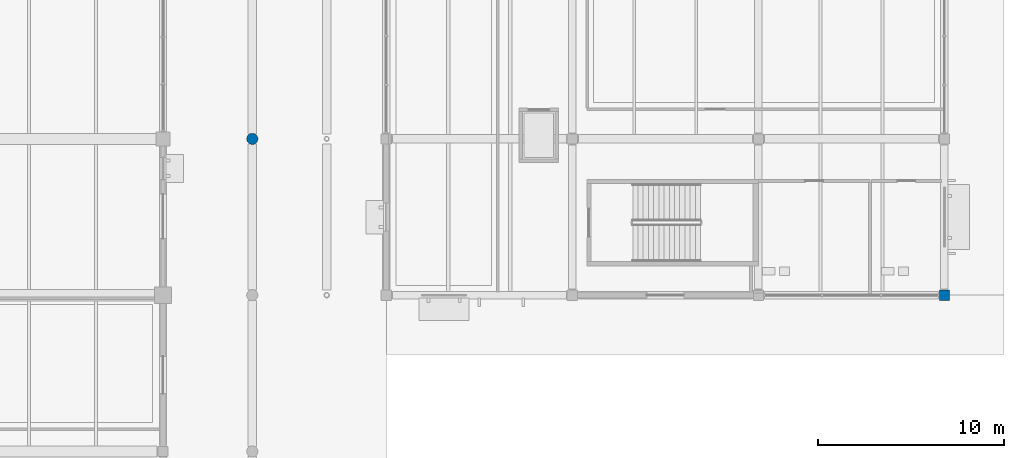
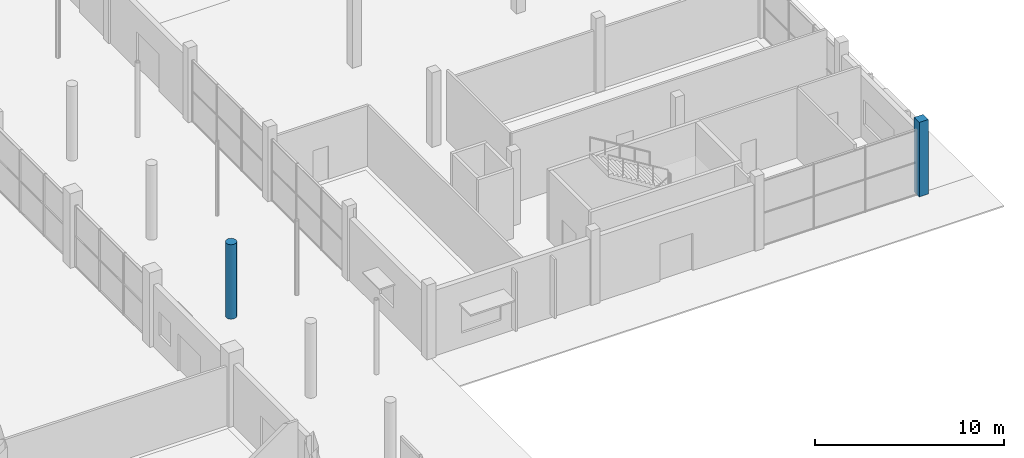
# One storey, part 3 of 130: 2 columns.
"""IFC4 building model written with IfcOpenShell, lengths in metres."""

from ifc_helpers import new_model, si_unit, direction, frame, origin, origin_2d, place, context, subcontext, project, spatial, rectangle, circle, extrude, material, material_profile, profile_set, type_object, element, save


model = new_model("IFC4")

# Units and contexts
model_context = context("Model", 3, precision=1e-05, world=origin(), true_north=direction((0.0, 1.0)))
body_context = subcontext(model_context, "Body", "Model", "MODEL_VIEW")
ifc_project = project(units=[si_unit("LENGTHUNIT", "METRE"), si_unit("AREAUNIT", "SQUARE_METRE"), si_unit("VOLUMEUNIT", "CUBIC_METRE"), si_unit("PLANEANGLEUNIT", "RADIAN"), si_unit("MASSUNIT", "GRAM", prefix="KILO"), si_unit("THERMODYNAMICTEMPERATUREUNIT", "KELVIN")], contexts=[model_context])

# Site, building, storey
site_placement = place(None, origin())
site = spatial("IfcSite", under=ifc_project, at=site_placement, CompositionType="ELEMENT")
building_placement = place(site_placement, origin())
building = spatial("IfcBuilding", under=site, at=building_placement, Name="Nduvali Passage Aquatics Centre", CompositionType="ELEMENT")
storey_placement = place(building_placement, origin())
storey = spatial("IfcBuildingStorey", under=building, at=storey_placement, Name="L00", CompositionType="ELEMENT", Elevation=0.0)

# Columns
ifc_material = material(Name="Concrete C40/50", Category="concrete")
ifc_material_profile_1 = material_profile(ifc_material, rectangle(XDim=0.550048828125, YDim=0.550048828125, at=origin_2d()), Name="RC 550x550")
ifc_profile_set_1 = profile_set([ifc_material_profile_1], Name="Concrete C40/50")
column_type_1 = type_object("IfcColumnType", Name="STR-COL-RC550-EXT", PredefinedType="COLUMN", material=ifc_profile_set_1)
column_1_placement = place(storey_placement, frame((168.0, 25.199951171875, 0.0), z_axis=(0.0, 0.0, 1.0), x_axis=(1.0, 0.0, 0.0)))
element("IfcColumn", 1, at=column_1_placement, inside=storey, type_object=column_type_1, Name="L00 Column C4E (168.0, 25.2)", PredefinedType="COLUMN", context=body_context, shape_type="SweptSolid", body=[
    extrude(rectangle(XDim=0.550048828125, YDim=0.550048828125, at=origin_2d()), origin(), (0.0, 0.0, 1.0), 4.800048828125),
])
ifc_material_profile_2 = material_profile(ifc_material, circle(Radius=0.300048828125, at=origin_2d()), Name="RC D600")
ifc_profile_set_2 = profile_set([ifc_material_profile_2], Name="Concrete C40/50")
column_type_2 = type_object("IfcColumnType", Name="STR-PIL-D600-EXT", PredefinedType="PILASTER", material=ifc_profile_set_2)
column_2_placement = place(storey_placement, frame((130.800048828125, 33.60009765625, 0.0), z_axis=(0.0, 0.0, 1.0), x_axis=(1.0, 0.0, 0.0)))
element("IfcColumn", 2, at=column_2_placement, inside=storey, type_object=column_type_2, Name="L00 Column CP1E (130.8, 33.6)", PredefinedType="PILASTER", context=body_context, shape_type="SweptSolid", body=[
    extrude(circle(Radius=0.300048828125, at=origin_2d()), origin(), (0.0, 0.0, 1.0), 4.800048828125),
])

save(model, "model.ifc")
